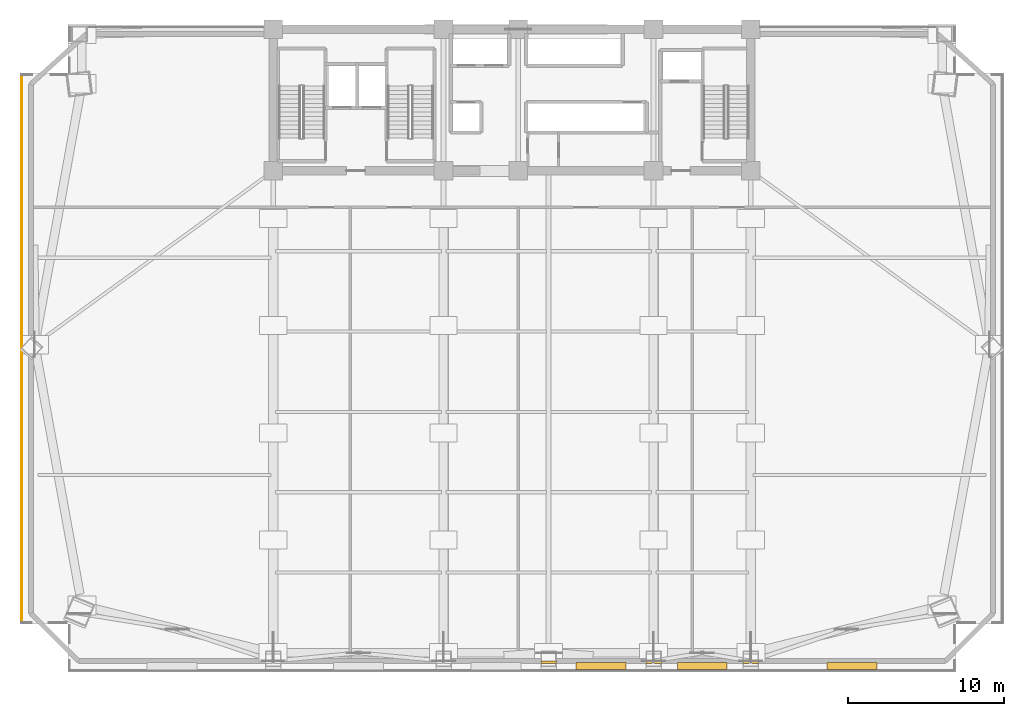
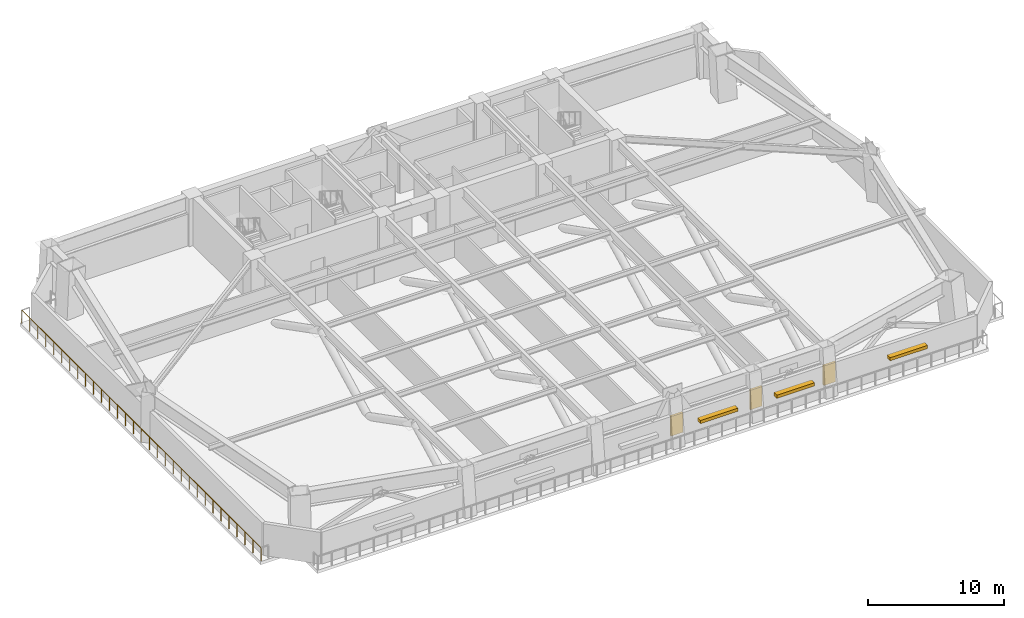
# One storey, part 7 of 10: 3 coverings, 3 shading devices, 1 railing.
"""IFC4 building model written with IfcOpenShell, lengths in metres."""

from ifc_helpers import new_model, si_unit, direction, frame, origin, origin_2d, place, context, subcontext, project, spatial, polyline, rectangle, outline, extrude, source, transform, mapped, material, layer, layer_set, type_object, element, save


model = new_model("IFC4")

# Units and contexts
model_context = context("Model", 3, precision=1e-05, world=origin(), true_north=direction((0.0, 1.0)))
body_context = subcontext(model_context, "Body", "Model", "MODEL_VIEW")
ifc_project = project(units=[si_unit("LENGTHUNIT", "METRE"), si_unit("AREAUNIT", "SQUARE_METRE"), si_unit("VOLUMEUNIT", "CUBIC_METRE"), si_unit("PLANEANGLEUNIT", "RADIAN"), si_unit("MASSUNIT", "GRAM", prefix="KILO")], contexts=[model_context])

# Site, building, storey
site_placement = place(None, origin())
site = spatial("IfcSite", under=ifc_project, at=site_placement, CompositionType="ELEMENT")
building_placement = place(site_placement, origin())
building = spatial("IfcBuilding", under=site, at=building_placement, Name="Giltprow Tower", CompositionType="ELEMENT")
storey_placement = place(building_placement, frame((0.0, 0.0, 95.199951171875)))
storey = spatial("IfcBuildingStorey", under=building, at=storey_placement, Name="L23", CompositionType="ELEMENT", Elevation=95.199951171875)

# Coverings
ifc_material = material(Name="Anodized bronze", Category="metal")
ifc_layer = layer(ifc_material, 0.0400390625, Name="Anodized bronze")
ifc_layer_set = layer_set([ifc_layer], Name="Anodized bronze")
covering_type = type_object("IfcCoveringType", Name="COV-SOFFIT-BRONZE", PredefinedType="CLADDING", material=ifc_layer_set)
covering_1_placement = place(storey_placement, frame((0.0, 0.0, 1.10009765625)))
element("IfcCovering", 1, at=covering_1_placement, inside=storey, type_object=covering_type, Name="L23 Setback Pier Closure Cladding S-3", PredefinedType="CLADDING", context=body_context, shape_type="SweptSolid", body=[
    extrude(outline(polyline([(37.050048828125, 5.785888671875), (38.050048828125, 5.785888671875), (38.050048828125, 5.9560546875), (37.050048828125, 5.9560546875), (37.050048828125, 5.785888671875)])), origin(), (0.0, 0.0, 1.0), 1.760009765625),
])
covering_2_placement = place(storey_placement, frame((0.0, 0.0, 1.10009765625)))
element("IfcCovering", 2, at=covering_2_placement, inside=storey, type_object=covering_type, Name="L23 Setback Pier Closure Cladding S-4", PredefinedType="CLADDING", context=body_context, shape_type="SweptSolid", body=[
    extrude(outline(polyline([(43.800048828125, 5.785888671875), (44.800048828125, 5.785888671875), (44.800048828125, 5.9560546875), (43.800048828125, 5.9560546875), (43.800048828125, 5.785888671875)])), origin(), (0.0, 0.0, 1.0), 1.760009765625),
])
covering_3_placement = place(storey_placement, frame((0.0, 0.0, 1.10009765625)))
element("IfcCovering", 3, at=covering_3_placement, inside=storey, type_object=covering_type, Name="L23 Setback Pier Closure Cladding S-5", PredefinedType="CLADDING", context=body_context, shape_type="SweptSolid", body=[
    extrude(outline(polyline([(50.050048828125, 5.785888671875), (51.050048828125, 5.785888671875), (51.050048828125, 5.9560546875), (50.050048828125, 5.9560546875), (50.050048828125, 5.785888671875)])), origin(), (0.0, 0.0, 1.0), 1.760009765625),
])

# Railing
railing_type = type_object("IfcRailingType", Name="RAIL-BALC-GUARD-1200", PredefinedType="BALUSTRADE", material=ifc_material)
railing_placement = place(storey_placement, frame((3.675048828125, 8.406005859375, 0.0)))
element("IfcRailing", 4, at=railing_placement, inside=storey, type_object=railing_type, Name="L23 Corner Apron Edge Balustrade 3", PredefinedType="BALUSTRADE", context=body_context, shape_type="SweptSolid", body=[
    extrude(rectangle(XDim=0.048095703125, YDim=0.048095703125, at=origin_2d()), frame((0.0, 0.0, 1.17578125), z_axis=(0.0, 1.0, 0.0), x_axis=(-1.0, 0.0, 0.0)), (0.0, 0.0, 1.0), 35.223876953125),
    extrude(rectangle(XDim=0.0419921875, YDim=0.0419921875, at=origin_2d()), origin(), (0.0, 0.0, 1.0), 1.15185546875),
    extrude(rectangle(XDim=0.0419921875, YDim=0.0419921875, at=origin_2d()), frame((0.0, 1.174072265625, 0.0)), (0.0, 0.0, 1.0), 1.15185546875),
    extrude(rectangle(XDim=0.0419921875, YDim=0.0419921875, at=origin_2d()), frame((0.0, 2.34814453125, 0.0)), (0.0, 0.0, 1.0), 1.15185546875),
    extrude(rectangle(XDim=0.0419921875, YDim=0.0419921875, at=origin_2d()), frame((0.0, 3.5224609375, 0.0)), (0.0, 0.0, 1.0), 1.15185546875),
    extrude(rectangle(XDim=0.0419921875, YDim=0.0419921875, at=origin_2d()), frame((0.0, 4.696533203125, 0.0)), (0.0, 0.0, 1.0), 1.15185546875),
    extrude(rectangle(XDim=0.0419921875, YDim=0.0419921875, at=origin_2d()), frame((0.0, 5.87060546875, 0.0)), (0.0, 0.0, 1.0), 1.15185546875),
    extrude(rectangle(XDim=0.0419921875, YDim=0.0419921875, at=origin_2d()), frame((0.0, 7.044677734375, 0.0)), (0.0, 0.0, 1.0), 1.15185546875),
    extrude(rectangle(XDim=0.0419921875, YDim=0.0419921875, at=origin_2d()), frame((0.0, 8.218994140625, 0.0)), (0.0, 0.0, 1.0), 1.15185546875),
    extrude(rectangle(XDim=0.0419921875, YDim=0.0419921875, at=origin_2d()), frame((0.0, 9.39306640625, 0.0)), (0.0, 0.0, 1.0), 1.15185546875),
    extrude(rectangle(XDim=0.0419921875, YDim=0.0419921875, at=origin_2d()), frame((0.0, 10.567138671875, 0.0)), (0.0, 0.0, 1.0), 1.15185546875),
    extrude(rectangle(XDim=0.0419921875, YDim=0.0419921875, at=origin_2d()), frame((0.0, 11.7412109375, 0.0)), (0.0, 0.0, 1.0), 1.15185546875),
    extrude(rectangle(XDim=0.0419921875, YDim=0.0419921875, at=origin_2d()), frame((0.0, 12.91552734375, 0.0)), (0.0, 0.0, 1.0), 1.15185546875),
    extrude(rectangle(XDim=0.0419921875, YDim=0.0419921875, at=origin_2d()), frame((0.0, 14.089599609375, 0.0)), (0.0, 0.0, 1.0), 1.15185546875),
    extrude(rectangle(XDim=0.0419921875, YDim=0.0419921875, at=origin_2d()), frame((0.0, 15.263671875, 0.0)), (0.0, 0.0, 1.0), 1.15185546875),
    extrude(rectangle(XDim=0.0419921875, YDim=0.0419921875, at=origin_2d()), frame((0.0, 16.437744140625, 0.0)), (0.0, 0.0, 1.0), 1.15185546875),
    extrude(rectangle(XDim=0.0419921875, YDim=0.0419921875, at=origin_2d()), frame((0.0, 17.61181640625, 0.0)), (0.0, 0.0, 1.0), 1.15185546875),
    extrude(rectangle(XDim=0.0419921875, YDim=0.0419921875, at=origin_2d()), frame((0.0, 18.7861328125, 0.0)), (0.0, 0.0, 1.0), 1.15185546875),
    extrude(rectangle(XDim=0.0419921875, YDim=0.0419921875, at=origin_2d()), frame((0.0, 19.960205078125, 0.0)), (0.0, 0.0, 1.0), 1.15185546875),
    extrude(rectangle(XDim=0.0419921875, YDim=0.0419921875, at=origin_2d()), frame((0.0, 21.13427734375, 0.0)), (0.0, 0.0, 1.0), 1.15185546875),
    extrude(rectangle(XDim=0.0419921875, YDim=0.0419921875, at=origin_2d()), frame((0.0, 22.308349609375, 0.0)), (0.0, 0.0, 1.0), 1.15185546875),
    extrude(rectangle(XDim=0.0419921875, YDim=0.0419921875, at=origin_2d()), frame((0.0, 23.482666015625, 0.0)), (0.0, 0.0, 1.0), 1.15185546875),
    extrude(rectangle(XDim=0.0419921875, YDim=0.0419921875, at=origin_2d()), frame((0.0, 24.65673828125, 0.0)), (0.0, 0.0, 1.0), 1.15185546875),
    extrude(rectangle(XDim=0.0419921875, YDim=0.0419921875, at=origin_2d()), frame((0.0, 25.830810546875, 0.0)), (0.0, 0.0, 1.0), 1.15185546875),
    extrude(rectangle(XDim=0.0419921875, YDim=0.0419921875, at=origin_2d()), frame((0.0, 27.0048828125, 0.0)), (0.0, 0.0, 1.0), 1.15185546875),
    extrude(rectangle(XDim=0.0419921875, YDim=0.0419921875, at=origin_2d()), frame((0.0, 28.17919921875, 0.0)), (0.0, 0.0, 1.0), 1.15185546875),
    extrude(rectangle(XDim=0.0419921875, YDim=0.0419921875, at=origin_2d()), frame((0.0, 29.353271484375, 0.0)), (0.0, 0.0, 1.0), 1.15185546875),
    extrude(rectangle(XDim=0.0419921875, YDim=0.0419921875, at=origin_2d()), frame((0.0, 30.52734375, 0.0)), (0.0, 0.0, 1.0), 1.15185546875),
    extrude(rectangle(XDim=0.0419921875, YDim=0.0419921875, at=origin_2d()), frame((0.0, 31.701416015625, 0.0)), (0.0, 0.0, 1.0), 1.15185546875),
    extrude(rectangle(XDim=0.0419921875, YDim=0.0419921875, at=origin_2d()), frame((0.0, 32.875732421875, 0.0)), (0.0, 0.0, 1.0), 1.15185546875),
    extrude(rectangle(XDim=0.0419921875, YDim=0.0419921875, at=origin_2d()), frame((0.0, 34.0498046875, 0.0)), (0.0, 0.0, 1.0), 1.15185546875),
    extrude(rectangle(XDim=0.0419921875, YDim=0.0419921875, at=origin_2d()), frame((0.0, 35.223876953125, 0.0)), (0.0, 0.0, 1.0), 1.15185546875),
])

# Shading devices
shading_device_type = type_object("IfcShadingDeviceType", Name="SHD-LOUVRE-320", PredefinedType="JALOUSIE", material=ifc_material)
shared_shape = source(origin(), body_context, "Body", "SweptSolid", [
    extrude(rectangle(XDim=3.199951171875, YDim=0.449951171875, at=origin_2d()), origin(), (0.0, 0.0, 1.0), 0.280029296875),
])
for number, where, z_axis, x_axis, name in (
    (5, (40.925048828125, 5.6259765625, 1.66015625), (0.0, 0.0, 1.0), (1.0, 0.0, 0.0), "L23 Refuge Intake Louvre S-4"),
    (6, (47.425048828125, 5.6259765625, 1.66015625), (0.0, 0.0, 1.0), (1.0, 0.0, 0.0), "L23 Refuge Intake Louvre S-5"),
    (7, (57.052978515625, 5.6259765625, 1.66015625), (0.0, 0.0, 1.0), (1.0, 0.0, 0.0), "L23 Refuge Intake Louvre S-6"),
):
    element("IfcShadingDevice", number, at=place(storey_placement, frame(where, z_axis=z_axis, x_axis=x_axis)), inside=storey, type_object=shading_device_type, Name=name, PredefinedType="JALOUSIE", context=body_context, shape_type="MappedRepresentation", body=[
        mapped(shared_shape, transform((0.0, 0.0, 0.0), x_axis=(1.0, 0.0, 0.0), y_axis=(0.0, 1.0, 0.0), z_axis=(0.0, 0.0, 1.0), scale=1.0)),
    ])

save(model, "model.ifc")
